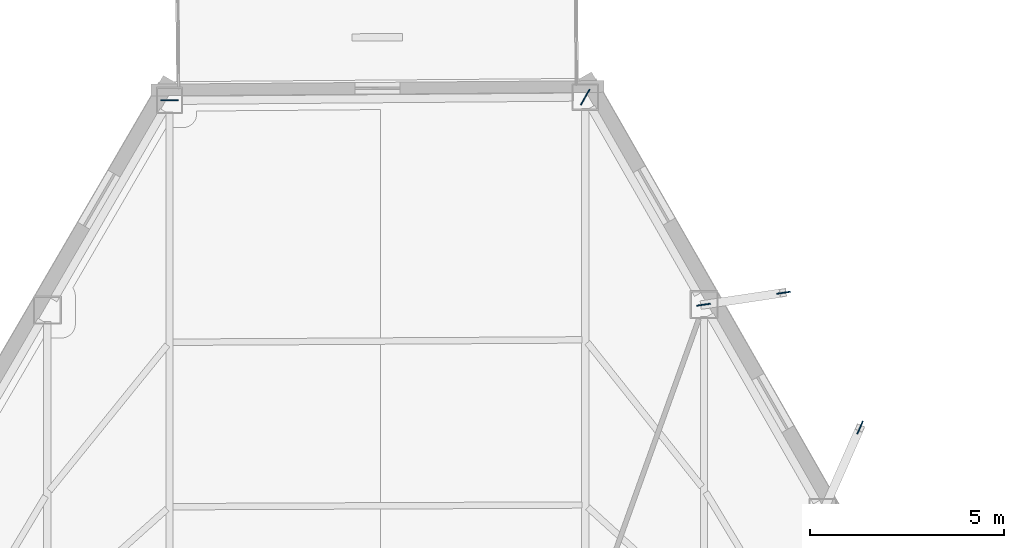
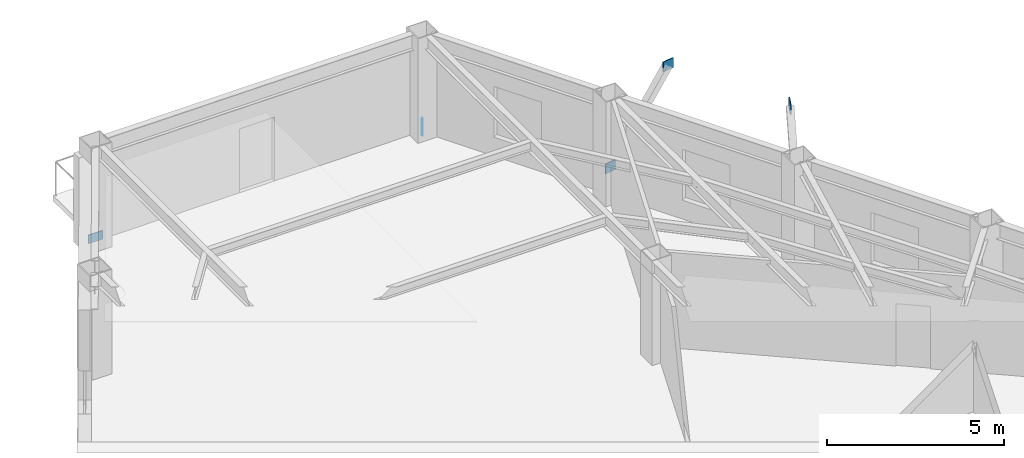
# One storey, part 7 of 12: 5 plates.
"""IFC4 building model written with IfcOpenShell, lengths in metres."""

from ifc_helpers import new_model, si_unit, direction, frame, origin, origin_2d, place, context, subcontext, project, spatial, rectangle, extrude, material, layer, layer_set, type_object, element, save


model = new_model("IFC4")

# Units and contexts
model_context = context("Model", 3, precision=1e-05, world=origin(), true_north=direction((0.0, 1.0)))
body_context = subcontext(model_context, "Body", "Model", "MODEL_VIEW")
ifc_project = project(units=[si_unit("LENGTHUNIT", "METRE"), si_unit("AREAUNIT", "SQUARE_METRE"), si_unit("VOLUMEUNIT", "CUBIC_METRE"), si_unit("PLANEANGLEUNIT", "RADIAN"), si_unit("MASSUNIT", "GRAM", prefix="KILO")], contexts=[model_context])

# Site, building, storey
site_placement = place(None, origin())
site = spatial("IfcSite", under=ifc_project, at=site_placement, CompositionType="ELEMENT")
building_placement = place(site_placement, origin())
building = spatial("IfcBuilding", under=site, at=building_placement, Name="Kavelnor Concourse Tower", CompositionType="ELEMENT")
storey_placement = place(building_placement, frame((0.0, 0.0, 147.10009765625)))
storey = spatial("IfcBuildingStorey", under=building, at=storey_placement, Name="L37", CompositionType="ELEMENT", Elevation=147.10009765625)

# Plates
ifc_material = material(Name="Steel Grade 350", Category="steel")
ifc_layer = layer(ifc_material, 0.028076171875, Name="Steel Grade 350")
ifc_layer_set = layer_set([ifc_layer], Name="Steel Grade 350")
plate_type = type_object("IfcPlateType", Name="PL-GUSSET-FOLD", PredefinedType="USERDEFINED", material=ifc_layer_set)
for number, where, z_axis, x_axis, name in (
    (1, (32.57421875, 44.508544921875, 0.10009765625), (0.0, 0.0, 1.0), (1.0, 0.0, 0.0), "L37 Herringbone Corner-Fold Kink Gusset Plate F0-B0"),
    (2, (43.268798828125, 44.594970703125, 0.10009765625), (0.0, 0.0, 1.0), (-0.5, -0.866025403784, 0.0), "L37 Herringbone Corner-Fold Kink Gusset Plate F2-B6"),
):
    element("IfcPlate", number, at=place(storey_placement, frame(where, z_axis=z_axis, x_axis=x_axis)), inside=storey, type_object=plate_type, Name=name, ObjectType="GUSSET_PLATE", PredefinedType="USERDEFINED", context=body_context, shape_type="SweptSolid", body=[
        extrude(rectangle(XDim=0.4599609375, YDim=0.028076171875, at=origin_2d()), origin(), (0.0, 0.0, 1.0), 0.300048828125),
    ])
for number, where, z_axis, x_axis, name in (
    (3, (50.338134765625, 36.093017578125, 3.48486328125), (0.0, 0.0, 1.0), (0.403704980793, 0.914889221974, 0.0), "L37 Balcony Strut Gusset GP4 1-A End Gusset B"),
    (4, (46.31103515625, 39.253173828125, 0.8798828125), (0.0, 0.0, 1.0), (0.98899005069, 0.147982024709, 0.0), "L37 Balcony Strut Gusset GP4 1-B End Gusset A"),
    (5, (48.367919921875, 39.560791015625, 3.48486328125), (0.0, 0.0, 1.0), (0.98899005069, 0.147982024709, 0.0), "L37 Balcony Strut Gusset GP4 1-B End Gusset B"),
):
    element("IfcPlate", number, at=place(storey_placement, frame(where, z_axis=z_axis, x_axis=x_axis)), inside=storey, type_object=plate_type, Name=name, ObjectType="GUSSET_PLATE", PredefinedType="USERDEFINED", context=body_context, shape_type="SweptSolid", body=[
        extrude(rectangle(XDim=0.360107421875, YDim=0.028076171875, at=origin_2d()), origin(), (0.0, 0.0, 1.0), 0.340087890625),
    ])

save(model, "model.ifc")
